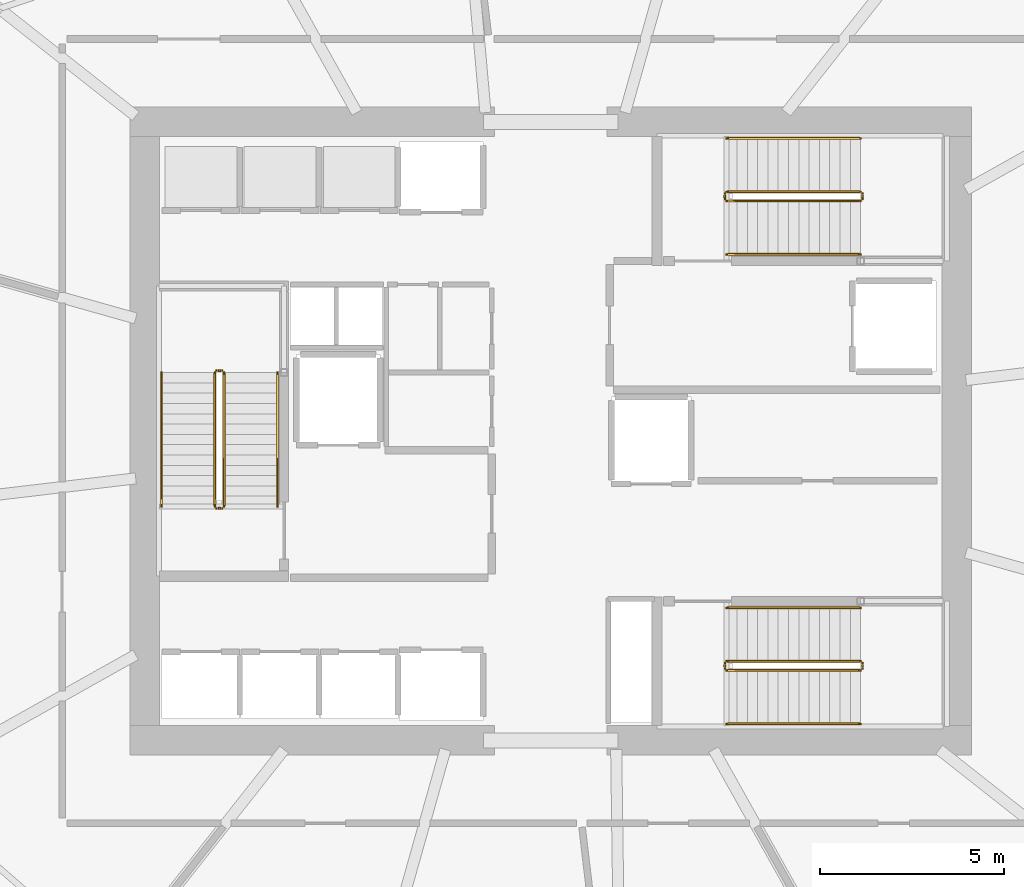
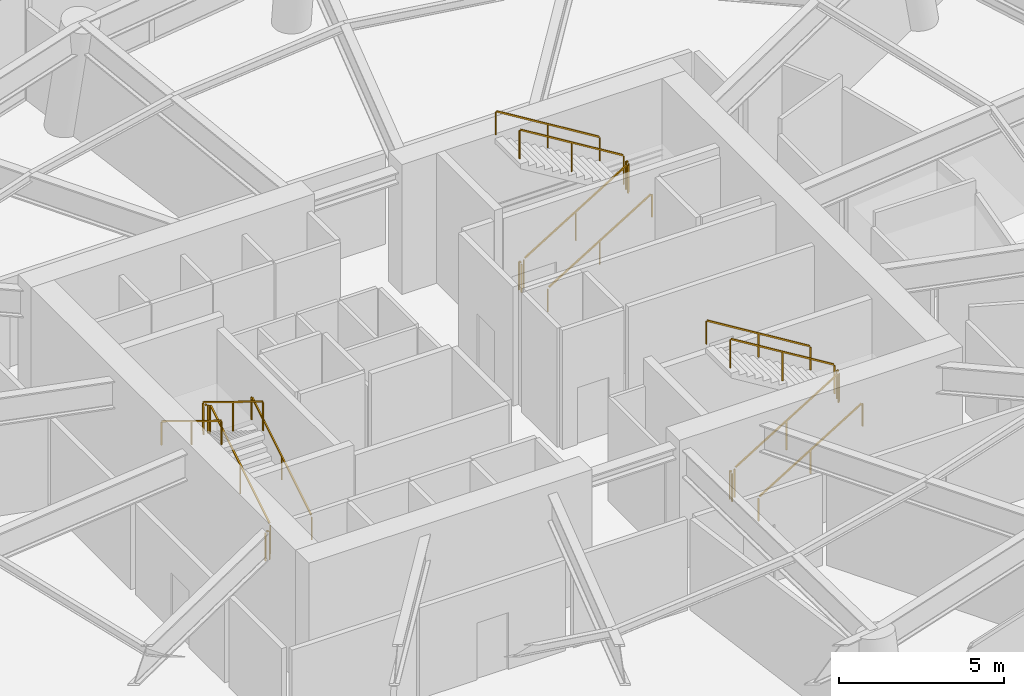
# One storey, part 14 of 16: 18 railings.
"""IFC4 building model written with IfcOpenShell, lengths in metres."""

from ifc_helpers import new_model, si_unit, direction, frame, origin, origin_2d, place, context, subcontext, project, spatial, rectangle, extrude, material, type_object, element, save


model = new_model("IFC4")

# Units and contexts
model_context = context("Model", 3, precision=1e-05, world=origin(), true_north=direction((0.0, 1.0)))
body_context = subcontext(model_context, "Body", "Model", "MODEL_VIEW")
ifc_project = project(units=[si_unit("LENGTHUNIT", "METRE"), si_unit("AREAUNIT", "SQUARE_METRE"), si_unit("VOLUMEUNIT", "CUBIC_METRE"), si_unit("PLANEANGLEUNIT", "RADIAN"), si_unit("MASSUNIT", "GRAM", prefix="KILO")], contexts=[model_context])

# Site, building, storey
site_placement = place(None, origin())
site = spatial("IfcSite", under=ifc_project, at=site_placement, CompositionType="ELEMENT")
building_placement = place(site_placement, origin())
building = spatial("IfcBuilding", under=site, at=building_placement, Name="Kazma Halo Residences", CompositionType="ELEMENT")
storey_placement = place(building_placement, frame((0.0, 0.0, 123.0)))
storey = spatial("IfcBuildingStorey", under=building, at=storey_placement, Name="L30", CompositionType="ELEMENT", Elevation=123.0)

# Railings
ifc_material_1 = material(Name="Painted Steel S355", Category="steel")
railing_type_1 = type_object("IfcRailingType", Name="RLG-STAIR-GRD-1100", PredefinedType="GUARDRAIL", material=ifc_material_1)
railing_1_placement = place(storey_placement, frame((39.550048828125, 39.949951171875, 0.17138671875)))
element("IfcRailing", 1, at=railing_1_placement, inside=storey, type_object=railing_type_1, Name="L30 ST-01 stair guard 1", PredefinedType="GUARDRAIL", context=body_context, shape_type="SweptSolid", body=[
    extrude(rectangle(XDim=0.050048828125, YDim=0.050048828125, at=origin_2d()), frame((0.0, 0.036376953125, 1.09716796875), z_axis=(0.0, 0.852865859571, 0.52213008492), x_axis=(-1.0, 0.0, 0.0)), (0.0, 0.0, 1.0), 4.18310546875),
    extrude(rectangle(XDim=0.0400390625, YDim=0.0400390625, at=origin_2d()), origin(), (0.0, 0.0, 1.0), 1.0380859375),
    extrude(rectangle(XDim=0.0400390625, YDim=0.0400390625, at=origin_2d()), frame((0.0, 1.820068359375, 1.1142578125)), (0.0, 0.0, 1.0), 1.0380859375),
    extrude(rectangle(XDim=0.0400390625, YDim=0.0400390625, at=origin_2d()), frame((0.0, 3.64013671875, 2.228515625)), (0.0, 0.0, 1.0), 1.0380859375),
])
railing_2_placement = place(storey_placement, frame((39.5, 43.639892578125, 2.39990234375)))
element("IfcRailing", 2, at=railing_2_placement, inside=storey, type_object=railing_type_1, Name="L30 ST-01 stair guard 2", PredefinedType="GUARDRAIL", context=body_context, shape_type="SweptSolid", body=[
    extrude(rectangle(XDim=0.050048828125, YDim=0.050048828125, at=origin_2d()), frame((-0.04248046875, 0.0, 1.0751953125), z_axis=(-1.0, 0.0, 0.0), x_axis=(0.0, -1.0, 0.0)), (0.0, 0.0, 1.0), 0.06494140625),
    extrude(rectangle(XDim=0.0400390625, YDim=0.0400390625, at=origin_2d()), origin(), (0.0, 0.0, 1.0), 1.0380859375),
    extrude(rectangle(XDim=0.0400390625, YDim=0.0400390625, at=origin_2d()), frame((-0.14990234375, 0.0, 0.0)), (0.0, 0.0, 1.0), 1.0380859375),
])
railing_3_placement = place(storey_placement, frame((39.300048828125, 43.590087890625, 2.571533203125)))
element("IfcRailing", 3, at=railing_3_placement, inside=storey, type_object=railing_type_1, Name="L30 ST-01 stair guard 3", PredefinedType="GUARDRAIL", context=body_context, shape_type="SweptSolid", body=[
    extrude(rectangle(XDim=0.050048828125, YDim=0.050048828125, at=origin_2d()), frame((0.0, -0.036376953125, 1.09716796875), z_axis=(0.0, -0.852865859571, 0.52213008492), x_axis=(1.0, 0.0, 0.0)), (0.0, 0.0, 1.0), 4.18310546875),
    extrude(rectangle(XDim=0.0400390625, YDim=0.0400390625, at=origin_2d()), origin(), (0.0, 0.0, 1.0), 1.0380859375),
    extrude(rectangle(XDim=0.0400390625, YDim=0.0400390625, at=origin_2d()), frame((0.0, -1.820068359375, 1.1142578125)), (0.0, 0.0, 1.0), 1.0380859375),
    extrude(rectangle(XDim=0.0400390625, YDim=0.0400390625, at=origin_2d()), frame((0.0, -3.64013671875, 2.228515625)), (0.0, 0.0, 1.0), 1.0380859375),
])
railing_4_placement = place(storey_placement, frame((39.5, 39.89990234375, 0.0)))
element("IfcRailing", 4, at=railing_4_placement, inside=storey, type_object=railing_type_1, Name="L30 ST-01 stair guard 4", PredefinedType="GUARDRAIL", context=body_context, shape_type="SweptSolid", body=[
    extrude(rectangle(XDim=0.050048828125, YDim=0.050048828125, at=origin_2d()), frame((-0.04248046875, 0.0, 1.0751953125), z_axis=(-1.0, 0.0, 0.0), x_axis=(0.0, -1.0, 0.0)), (0.0, 0.0, 1.0), 0.06494140625),
    extrude(rectangle(XDim=0.0400390625, YDim=0.0400390625, at=origin_2d()), origin(), (0.0, 0.0, 1.0), 1.0380859375),
    extrude(rectangle(XDim=0.0400390625, YDim=0.0400390625, at=origin_2d()), frame((-0.14990234375, 0.0, 0.0)), (0.0, 0.0, 1.0), 1.0380859375),
])
railing_5_placement = place(storey_placement, frame((53.199951171875, 48.25, 0.17138671875)))
element("IfcRailing", 5, at=railing_5_placement, inside=storey, type_object=railing_type_1, Name="L30 ST-02 stair guard 1", PredefinedType="GUARDRAIL", context=body_context, shape_type="SweptSolid", body=[
    extrude(rectangle(XDim=0.050048828125, YDim=0.050048828125, at=origin_2d()), frame((0.036376953125, 0.0, 1.09716796875), z_axis=(0.852865859571, 0.0, 0.52213008492), x_axis=(0.0, 1.0, 0.0)), (0.0, 0.0, 1.0), 4.18310546875),
    extrude(rectangle(XDim=0.0400390625, YDim=0.0400390625, at=origin_2d()), origin(), (0.0, 0.0, 1.0), 1.0380859375),
    extrude(rectangle(XDim=0.0400390625, YDim=0.0400390625, at=origin_2d()), frame((1.820068359375, 0.0, 1.1142578125)), (0.0, 0.0, 1.0), 1.0380859375),
    extrude(rectangle(XDim=0.0400390625, YDim=0.0400390625, at=origin_2d()), frame((3.64013671875, 0.0, 2.228515625)), (0.0, 0.0, 1.0), 1.0380859375),
])
railing_6_placement = place(storey_placement, frame((56.889892578125, 48.300048828125, 2.39990234375)))
element("IfcRailing", 6, at=railing_6_placement, inside=storey, type_object=railing_type_1, Name="L30 ST-02 stair guard 2", PredefinedType="GUARDRAIL", context=body_context, shape_type="SweptSolid", body=[
    extrude(rectangle(XDim=0.050048828125, YDim=0.050048828125, at=origin_2d()), frame((0.0, 0.04248046875, 1.0751953125), z_axis=(0.0, 1.0, 0.0), x_axis=(-1.0, 0.0, 0.0)), (0.0, 0.0, 1.0), 0.06494140625),
    extrude(rectangle(XDim=0.0400390625, YDim=0.0400390625, at=origin_2d()), origin(), (0.0, 0.0, 1.0), 1.0380859375),
    extrude(rectangle(XDim=0.0400390625, YDim=0.0400390625, at=origin_2d()), frame((0.0, 0.14990234375, 0.0)), (0.0, 0.0, 1.0), 1.0380859375),
])
railing_7_placement = place(storey_placement, frame((56.840087890625, 48.5, 2.571533203125)))
element("IfcRailing", 7, at=railing_7_placement, inside=storey, type_object=railing_type_1, Name="L30 ST-02 stair guard 3", PredefinedType="GUARDRAIL", context=body_context, shape_type="SweptSolid", body=[
    extrude(rectangle(XDim=0.050048828125, YDim=0.050048828125, at=origin_2d()), frame((-0.036376953125, 0.0, 1.09716796875), z_axis=(-0.852865859571, 0.0, 0.52213008492), x_axis=(0.0, -1.0, 0.0)), (0.0, 0.0, 1.0), 4.18310546875),
    extrude(rectangle(XDim=0.0400390625, YDim=0.0400390625, at=origin_2d()), origin(), (0.0, 0.0, 1.0), 1.0380859375),
    extrude(rectangle(XDim=0.0400390625, YDim=0.0400390625, at=origin_2d()), frame((-1.820068359375, 0.0, 1.1142578125)), (0.0, 0.0, 1.0), 1.0380859375),
    extrude(rectangle(XDim=0.0400390625, YDim=0.0400390625, at=origin_2d()), frame((-3.64013671875, 0.0, 2.228515625)), (0.0, 0.0, 1.0), 1.0380859375),
])
railing_8_placement = place(storey_placement, frame((53.14990234375, 48.300048828125, 0.0)))
element("IfcRailing", 8, at=railing_8_placement, inside=storey, type_object=railing_type_1, Name="L30 ST-02 stair guard 4", PredefinedType="GUARDRAIL", context=body_context, shape_type="SweptSolid", body=[
    extrude(rectangle(XDim=0.050048828125, YDim=0.050048828125, at=origin_2d()), frame((0.0, 0.04248046875, 1.0751953125), z_axis=(0.0, 1.0, 0.0), x_axis=(-1.0, 0.0, 0.0)), (0.0, 0.0, 1.0), 0.06494140625),
    extrude(rectangle(XDim=0.0400390625, YDim=0.0400390625, at=origin_2d()), origin(), (0.0, 0.0, 1.0), 1.0380859375),
    extrude(rectangle(XDim=0.0400390625, YDim=0.0400390625, at=origin_2d()), frame((0.0, 0.14990234375, 0.0)), (0.0, 0.0, 1.0), 1.0380859375),
])
railing_9_placement = place(storey_placement, frame((53.199951171875, 35.5, 0.17138671875)))
element("IfcRailing", 9, at=railing_9_placement, inside=storey, type_object=railing_type_1, Name="L30 ST-03 stair guard 1", PredefinedType="GUARDRAIL", context=body_context, shape_type="SweptSolid", body=[
    extrude(rectangle(XDim=0.050048828125, YDim=0.050048828125, at=origin_2d()), frame((0.036376953125, 0.0, 1.09716796875), z_axis=(0.852865859571, 0.0, 0.52213008492), x_axis=(0.0, 1.0, 0.0)), (0.0, 0.0, 1.0), 4.18310546875),
    extrude(rectangle(XDim=0.0400390625, YDim=0.0400390625, at=origin_2d()), origin(), (0.0, 0.0, 1.0), 1.0380859375),
    extrude(rectangle(XDim=0.0400390625, YDim=0.0400390625, at=origin_2d()), frame((1.820068359375, 0.0, 1.1142578125)), (0.0, 0.0, 1.0), 1.0380859375),
    extrude(rectangle(XDim=0.0400390625, YDim=0.0400390625, at=origin_2d()), frame((3.64013671875, 0.0, 2.228515625)), (0.0, 0.0, 1.0), 1.0380859375),
])
railing_10_placement = place(storey_placement, frame((56.889892578125, 35.550048828125, 2.39990234375)))
element("IfcRailing", 10, at=railing_10_placement, inside=storey, type_object=railing_type_1, Name="L30 ST-03 stair guard 2", PredefinedType="GUARDRAIL", context=body_context, shape_type="SweptSolid", body=[
    extrude(rectangle(XDim=0.050048828125, YDim=0.050048828125, at=origin_2d()), frame((0.0, 0.04248046875, 1.0751953125), z_axis=(0.0, 1.0, 0.0), x_axis=(-1.0, 0.0, 0.0)), (0.0, 0.0, 1.0), 0.06494140625),
    extrude(rectangle(XDim=0.0400390625, YDim=0.0400390625, at=origin_2d()), origin(), (0.0, 0.0, 1.0), 1.0380859375),
    extrude(rectangle(XDim=0.0400390625, YDim=0.0400390625, at=origin_2d()), frame((0.0, 0.14990234375, 0.0)), (0.0, 0.0, 1.0), 1.0380859375),
])
railing_11_placement = place(storey_placement, frame((56.840087890625, 35.75, 2.571533203125)))
element("IfcRailing", 11, at=railing_11_placement, inside=storey, type_object=railing_type_1, Name="L30 ST-03 stair guard 3", PredefinedType="GUARDRAIL", context=body_context, shape_type="SweptSolid", body=[
    extrude(rectangle(XDim=0.050048828125, YDim=0.050048828125, at=origin_2d()), frame((-0.036376953125, 0.0, 1.09716796875), z_axis=(-0.852865859571, 0.0, 0.52213008492), x_axis=(0.0, -1.0, 0.0)), (0.0, 0.0, 1.0), 4.18310546875),
    extrude(rectangle(XDim=0.0400390625, YDim=0.0400390625, at=origin_2d()), origin(), (0.0, 0.0, 1.0), 1.0380859375),
    extrude(rectangle(XDim=0.0400390625, YDim=0.0400390625, at=origin_2d()), frame((-1.820068359375, 0.0, 1.1142578125)), (0.0, 0.0, 1.0), 1.0380859375),
    extrude(rectangle(XDim=0.0400390625, YDim=0.0400390625, at=origin_2d()), frame((-3.64013671875, 0.0, 2.228515625)), (0.0, 0.0, 1.0), 1.0380859375),
])
railing_12_placement = place(storey_placement, frame((53.14990234375, 35.550048828125, 0.0)))
element("IfcRailing", 12, at=railing_12_placement, inside=storey, type_object=railing_type_1, Name="L30 ST-03 stair guard 4", PredefinedType="GUARDRAIL", context=body_context, shape_type="SweptSolid", body=[
    extrude(rectangle(XDim=0.050048828125, YDim=0.050048828125, at=origin_2d()), frame((0.0, 0.04248046875, 1.0751953125), z_axis=(0.0, 1.0, 0.0), x_axis=(-1.0, 0.0, 0.0)), (0.0, 0.0, 1.0), 0.06494140625),
    extrude(rectangle(XDim=0.0400390625, YDim=0.0400390625, at=origin_2d()), origin(), (0.0, 0.0, 1.0), 1.0380859375),
    extrude(rectangle(XDim=0.0400390625, YDim=0.0400390625, at=origin_2d()), frame((0.0, 0.14990234375, 0.0)), (0.0, 0.0, 1.0), 1.0380859375),
])
ifc_material_2 = material(Name="Brushed Stainless Steel", Category="steel")
railing_type_2 = type_object("IfcRailingType", Name="RLG-STAIR-HND-900", PredefinedType="HANDRAIL", material=ifc_material_2)
railing_13_placement = place(storey_placement, frame((41.0, 39.949951171875, 0.17138671875)))
element("IfcRailing", 13, at=railing_13_placement, inside=storey, type_object=railing_type_2, Name="L30 ST-01 stair handrail 1", PredefinedType="HANDRAIL", context=body_context, shape_type="SweptSolid", body=[
    extrude(rectangle(XDim=0.050048828125, YDim=0.050048828125, at=origin_2d()), frame((0.0, 0.036376953125, 0.89697265625), z_axis=(0.0, 0.852865859571, 0.52213008492), x_axis=(-1.0, 0.0, 0.0)), (0.0, 0.0, 1.0), 4.18310546875),
    extrude(rectangle(XDim=0.0400390625, YDim=0.0400390625, at=origin_2d()), origin(), (0.0, 0.0, 1.0), 0.837890625),
    extrude(rectangle(XDim=0.0400390625, YDim=0.0400390625, at=origin_2d()), frame((0.0, 1.820068359375, 1.1142578125)), (0.0, 0.0, 1.0), 0.837890625),
    extrude(rectangle(XDim=0.0400390625, YDim=0.0400390625, at=origin_2d()), frame((0.0, 3.64013671875, 2.228515625)), (0.0, 0.0, 1.0), 0.837890625),
])
railing_14_placement = place(storey_placement, frame((37.85009765625, 43.590087890625, 2.571533203125)))
element("IfcRailing", 14, at=railing_14_placement, inside=storey, type_object=railing_type_2, Name="L30 ST-01 stair handrail 2", PredefinedType="HANDRAIL", context=body_context, shape_type="SweptSolid", body=[
    extrude(rectangle(XDim=0.050048828125, YDim=0.050048828125, at=origin_2d()), frame((0.0, -0.036376953125, 0.89697265625), z_axis=(0.0, -0.852865859571, 0.52213008492), x_axis=(1.0, 0.0, 0.0)), (0.0, 0.0, 1.0), 4.18310546875),
    extrude(rectangle(XDim=0.0400390625, YDim=0.0400390625, at=origin_2d()), origin(), (0.0, 0.0, 1.0), 0.837890625),
    extrude(rectangle(XDim=0.0400390625, YDim=0.0400390625, at=origin_2d()), frame((0.0, -1.820068359375, 1.1142578125)), (0.0, 0.0, 1.0), 0.837890625),
    extrude(rectangle(XDim=0.0400390625, YDim=0.0400390625, at=origin_2d()), frame((0.0, -3.64013671875, 2.228515625)), (0.0, 0.0, 1.0), 0.837890625),
])
railing_15_placement = place(storey_placement, frame((53.199951171875, 46.800048828125, 0.17138671875)))
element("IfcRailing", 15, at=railing_15_placement, inside=storey, type_object=railing_type_2, Name="L30 ST-02 stair handrail 1", PredefinedType="HANDRAIL", context=body_context, shape_type="SweptSolid", body=[
    extrude(rectangle(XDim=0.050048828125, YDim=0.050048828125, at=origin_2d()), frame((0.036376953125, 0.0, 0.89697265625), z_axis=(0.852865859571, 0.0, 0.52213008492), x_axis=(0.0, 1.0, 0.0)), (0.0, 0.0, 1.0), 4.18310546875),
    extrude(rectangle(XDim=0.0400390625, YDim=0.0400390625, at=origin_2d()), origin(), (0.0, 0.0, 1.0), 0.837890625),
    extrude(rectangle(XDim=0.0400390625, YDim=0.0400390625, at=origin_2d()), frame((1.820068359375, 0.0, 1.1142578125)), (0.0, 0.0, 1.0), 0.837890625),
    extrude(rectangle(XDim=0.0400390625, YDim=0.0400390625, at=origin_2d()), frame((3.64013671875, 0.0, 2.228515625)), (0.0, 0.0, 1.0), 0.837890625),
])
railing_16_placement = place(storey_placement, frame((56.840087890625, 49.949951171875, 2.571533203125)))
element("IfcRailing", 16, at=railing_16_placement, inside=storey, type_object=railing_type_2, Name="L30 ST-02 stair handrail 2", PredefinedType="HANDRAIL", context=body_context, shape_type="SweptSolid", body=[
    extrude(rectangle(XDim=0.050048828125, YDim=0.050048828125, at=origin_2d()), frame((-0.036376953125, 0.0, 0.89697265625), z_axis=(-0.852865859571, 0.0, 0.52213008492), x_axis=(0.0, -1.0, 0.0)), (0.0, 0.0, 1.0), 4.18310546875),
    extrude(rectangle(XDim=0.0400390625, YDim=0.0400390625, at=origin_2d()), origin(), (0.0, 0.0, 1.0), 0.837890625),
    extrude(rectangle(XDim=0.0400390625, YDim=0.0400390625, at=origin_2d()), frame((-1.820068359375, 0.0, 1.1142578125)), (0.0, 0.0, 1.0), 0.837890625),
    extrude(rectangle(XDim=0.0400390625, YDim=0.0400390625, at=origin_2d()), frame((-3.64013671875, 0.0, 2.228515625)), (0.0, 0.0, 1.0), 0.837890625),
])
railing_17_placement = place(storey_placement, frame((53.199951171875, 34.050048828125, 0.17138671875)))
element("IfcRailing", 17, at=railing_17_placement, inside=storey, type_object=railing_type_2, Name="L30 ST-03 stair handrail 1", PredefinedType="HANDRAIL", context=body_context, shape_type="SweptSolid", body=[
    extrude(rectangle(XDim=0.050048828125, YDim=0.050048828125, at=origin_2d()), frame((0.036376953125, 0.0, 0.89697265625), z_axis=(0.852865859571, 0.0, 0.52213008492), x_axis=(0.0, 1.0, 0.0)), (0.0, 0.0, 1.0), 4.18310546875),
    extrude(rectangle(XDim=0.0400390625, YDim=0.0400390625, at=origin_2d()), origin(), (0.0, 0.0, 1.0), 0.837890625),
    extrude(rectangle(XDim=0.0400390625, YDim=0.0400390625, at=origin_2d()), frame((1.820068359375, 0.0, 1.1142578125)), (0.0, 0.0, 1.0), 0.837890625),
    extrude(rectangle(XDim=0.0400390625, YDim=0.0400390625, at=origin_2d()), frame((3.64013671875, 0.0, 2.228515625)), (0.0, 0.0, 1.0), 0.837890625),
])
railing_18_placement = place(storey_placement, frame((56.840087890625, 37.199951171875, 2.571533203125)))
element("IfcRailing", 18, at=railing_18_placement, inside=storey, type_object=railing_type_2, Name="L30 ST-03 stair handrail 2", PredefinedType="HANDRAIL", context=body_context, shape_type="SweptSolid", body=[
    extrude(rectangle(XDim=0.050048828125, YDim=0.050048828125, at=origin_2d()), frame((-0.036376953125, 0.0, 0.89697265625), z_axis=(-0.852865859571, 0.0, 0.52213008492), x_axis=(0.0, -1.0, 0.0)), (0.0, 0.0, 1.0), 4.18310546875),
    extrude(rectangle(XDim=0.0400390625, YDim=0.0400390625, at=origin_2d()), origin(), (0.0, 0.0, 1.0), 0.837890625),
    extrude(rectangle(XDim=0.0400390625, YDim=0.0400390625, at=origin_2d()), frame((-1.820068359375, 0.0, 1.1142578125)), (0.0, 0.0, 1.0), 0.837890625),
    extrude(rectangle(XDim=0.0400390625, YDim=0.0400390625, at=origin_2d()), frame((-3.64013671875, 0.0, 2.228515625)), (0.0, 0.0, 1.0), 0.837890625),
])

save(model, "model.ifc")
